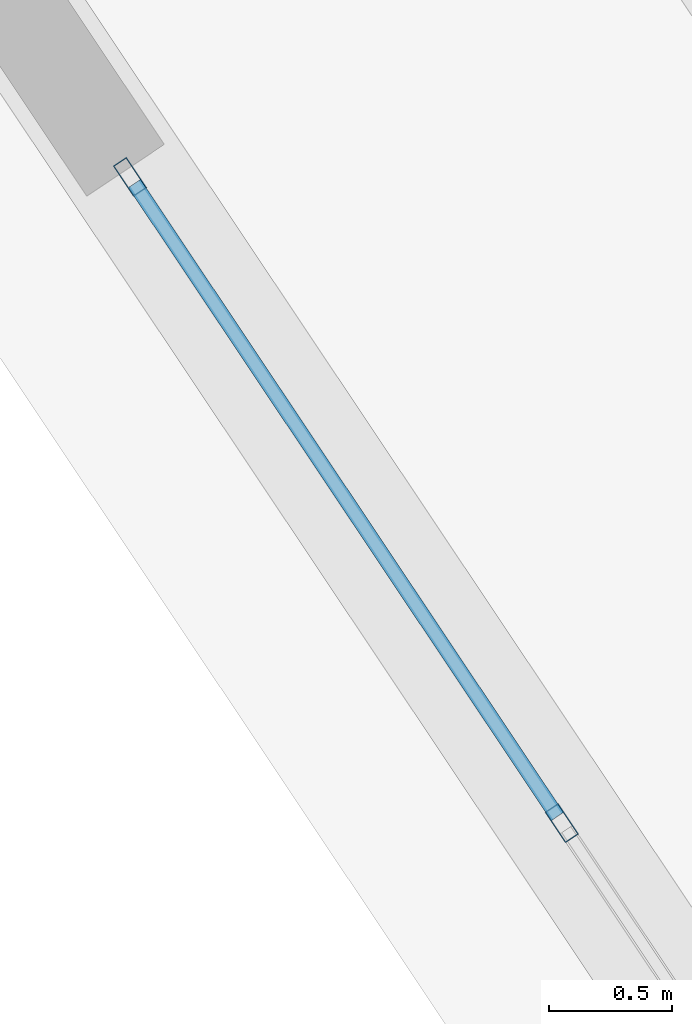
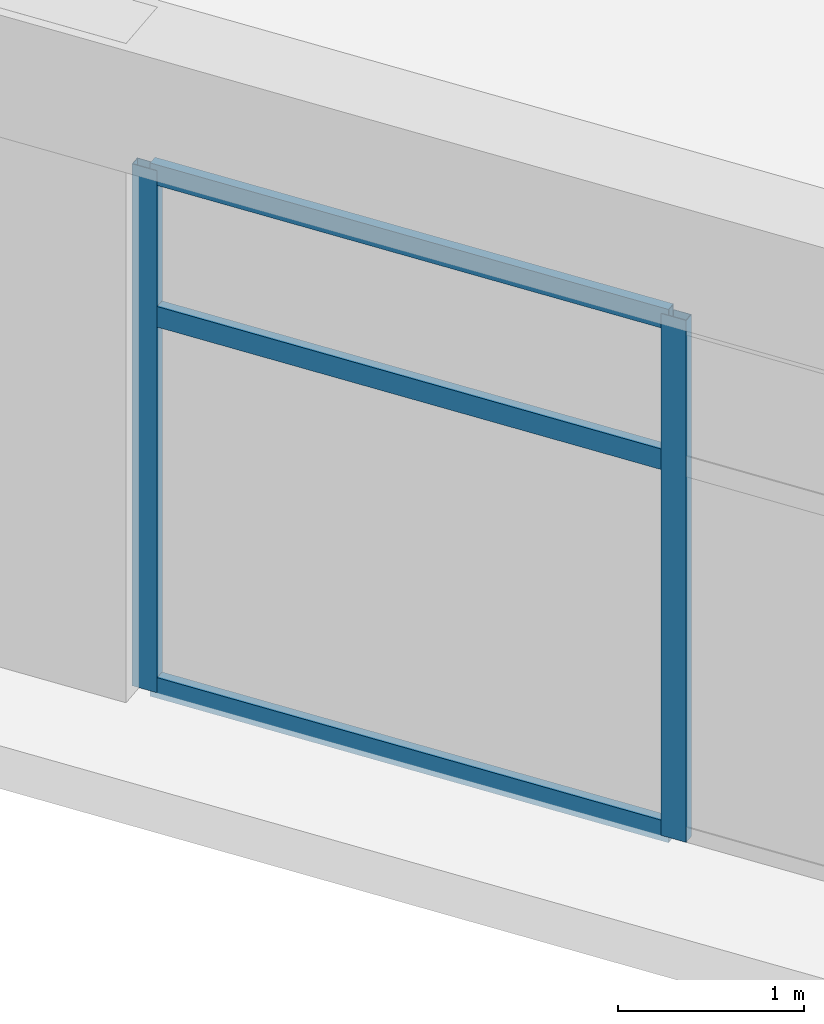
# One storey, part 4 of 35: 5 members, 1 element without a shape of its own.
"""IFC4 building model written with IfcOpenShell, lengths in metres."""

from ifc_helpers import new_model, si_unit, direction, frame, origin, origin_2d, place, context, subcontext, project, spatial, hollow_rectangle, extrude, source, transform, mapped, material, layer, layer_set, material_profile, profile_set, type_object, element, aggregate, save


model = new_model("IFC4")

# Units and contexts
model_context = context("Model", 3, precision=1e-05, world=origin(), true_north=direction((0.0, 1.0)))
body_context = subcontext(model_context, "Body", "Model", "MODEL_VIEW")
ifc_project = project(units=[si_unit("LENGTHUNIT", "METRE"), si_unit("AREAUNIT", "SQUARE_METRE"), si_unit("VOLUMEUNIT", "CUBIC_METRE"), si_unit("PLANEANGLEUNIT", "RADIAN"), si_unit("MASSUNIT", "GRAM", prefix="KILO")], contexts=[model_context])

# Site, building, storey
site_placement = place(None, origin())
site = spatial("IfcSite", under=ifc_project, at=site_placement, CompositionType="ELEMENT")
building_placement = place(site_placement, origin())
building = spatial("IfcBuilding", under=site, at=building_placement, Name="Liaohun Quay Tower", CompositionType="ELEMENT")
storey_placement = place(building_placement, frame((0.0, 0.0, 282.0)))
storey = spatial("IfcBuildingStorey", under=building, at=storey_placement, Name="L73", CompositionType="ELEMENT", Elevation=282.0)

# Curtain wall, members
ifc_material_1 = material(Name="Upper sky-lobby belvedere curtain wall")
ifc_layer = layer(ifc_material_1, 0.199951171875, Name="Upper sky-lobby belvedere curtain wall")
ifc_layer_set = layer_set([ifc_layer], Name="Upper sky-lobby belvedere curtain wall")
curtain_wall_type = type_object("IfcCurtainWallType", Name="CW-SKY-L73", PredefinedType="NOTDEFINED", material=ifc_layer_set)
curtain_wall_placement = place(storey_placement, origin())
curtain_wall = element("IfcCurtainWall", 1, at=curtain_wall_placement, inside=storey, type_object=curtain_wall_type, Name="L73 Panoramic Belvedere Curtain Wall 06", PredefinedType="NOTDEFINED")
ifc_material_2 = material(Name="Anodised aluminium 6063-T6", Category="aluminium")
ifc_material_profile_1 = material_profile(ifc_material_2, hollow_rectangle(XDim=0.06494140625, YDim=0.14990234375, WallThickness=0.00390625, at=origin_2d()), Name="RHS150x65x4")
ifc_profile_set_1 = profile_set([ifc_material_profile_1], Name="Anodised aluminium 6063-T6")
member_type_1 = type_object("IfcMemberType", Name="MEM-CWM-SKY", PredefinedType="MULLION", material=ifc_profile_set_1)
shared_shape_1 = source(origin(), body_context, "Body", "SweptSolid", [
    extrude(hollow_rectangle(XDim=0.06494140625, YDim=0.14990234375, WallThickness=0.00390625, at=origin_2d()), origin(), (0.0, 0.0, 1.0), 3.419921875),
])
member_1_placement = place(storey_placement, frame((45.297119140625, 35.56005859375, 0.0), z_axis=(0.0, 0.0, 1.0), x_axis=(0.831424752253, 0.555637364961, 0.0)))
member_1 = element("IfcMember", 2, at=member_1_placement, type_object=member_type_1, Name="CW5 mullion 1", PredefinedType="MULLION", context=body_context, shape_type="MappedRepresentation", body=[
    mapped(shared_shape_1, transform((0.0, 0.0, 0.0), x_axis=(1.0, 0.0, 0.0), y_axis=(0.0, 1.0, 0.0), z_axis=(0.0, 0.0, 1.0), scale=1.0)),
])
member_2_placement = place(storey_placement, frame((47.056884765625, 32.926513671875, 0.0), z_axis=(0.0, 0.0, 1.0), x_axis=(0.831424752253, 0.555637364961, 0.0)))
member_2 = element("IfcMember", 3, at=member_2_placement, type_object=member_type_1, Name="CW5 mullion 2", PredefinedType="MULLION", context=body_context, shape_type="MappedRepresentation", body=[
    mapped(shared_shape_1, transform((0.0, 0.0, 0.0), x_axis=(1.0, 0.0, 0.0), y_axis=(0.0, 1.0, 0.0), z_axis=(0.0, 0.0, 1.0), scale=1.0)),
])
ifc_material_profile_2 = material_profile(ifc_material_2, hollow_rectangle(XDim=0.06005859375, YDim=0.135009765625, WallThickness=0.00390625, at=origin_2d()), Name="RHS135x60x4")
ifc_profile_set_2 = profile_set([ifc_material_profile_2], Name="Anodised aluminium 6063-T6")
member_type_2 = type_object("IfcMemberType", Name="MEM-CWT-SKY", PredefinedType="USERDEFINED", material=ifc_profile_set_2)
shared_shape_2 = source(origin(), body_context, "Body", "SweptSolid", [
    extrude(hollow_rectangle(XDim=0.06005859375, YDim=0.135009765625, WallThickness=0.00390625, at=origin_2d()), origin(), (0.0, 0.0, 1.0), 3.102294921875),
])
member_3_placement = place(storey_placement, frame((45.315185546875, 35.532958984375, 0.030029296875), z_axis=(0.555662320153, -0.83140807427, 0.0), x_axis=(0.83140807427, 0.555662320153, 0.0)))
member_3 = element("IfcMember", 4, at=member_3_placement, type_object=member_type_2, Name="CW5 transom 1.1", ObjectType="TRANSOM", PredefinedType="USERDEFINED", context=body_context, shape_type="MappedRepresentation", body=[
    mapped(shared_shape_2, transform((0.0, 0.0, 0.0), x_axis=(1.0, 0.0, 0.0), y_axis=(0.0, 1.0, 0.0), z_axis=(0.0, 0.0, 1.0), scale=1.0)),
])
member_4_placement = place(storey_placement, frame((45.315185546875, 35.532958984375, 2.4619140625), z_axis=(0.555662320153, -0.83140807427, 0.0), x_axis=(0.83140807427, 0.555662320153, 0.0)))
member_4 = element("IfcMember", 5, at=member_4_placement, type_object=member_type_2, Name="CW5 transom 1.2", ObjectType="TRANSOM", PredefinedType="USERDEFINED", context=body_context, shape_type="MappedRepresentation", body=[
    mapped(shared_shape_2, transform((0.0, 0.0, 0.0), x_axis=(1.0, 0.0, 0.0), y_axis=(0.0, 1.0, 0.0), z_axis=(0.0, 0.0, 1.0), scale=1.0)),
])
member_5_placement = place(storey_placement, frame((45.315185546875, 35.532958984375, 3.389892578125), z_axis=(0.555662320153, -0.83140807427, 0.0), x_axis=(0.83140807427, 0.555662320153, 0.0)))
member_5 = element("IfcMember", 6, at=member_5_placement, type_object=member_type_2, Name="CW5 transom 1.3", ObjectType="TRANSOM", PredefinedType="USERDEFINED", context=body_context, shape_type="MappedRepresentation", body=[
    mapped(shared_shape_2, transform((0.0, 0.0, 0.0), x_axis=(1.0, 0.0, 0.0), y_axis=(0.0, 1.0, 0.0), z_axis=(0.0, 0.0, 1.0), scale=1.0)),
])
aggregate(curtain_wall, [member_1, member_2, member_3, member_4, member_5])

save(model, "model.ifc")
